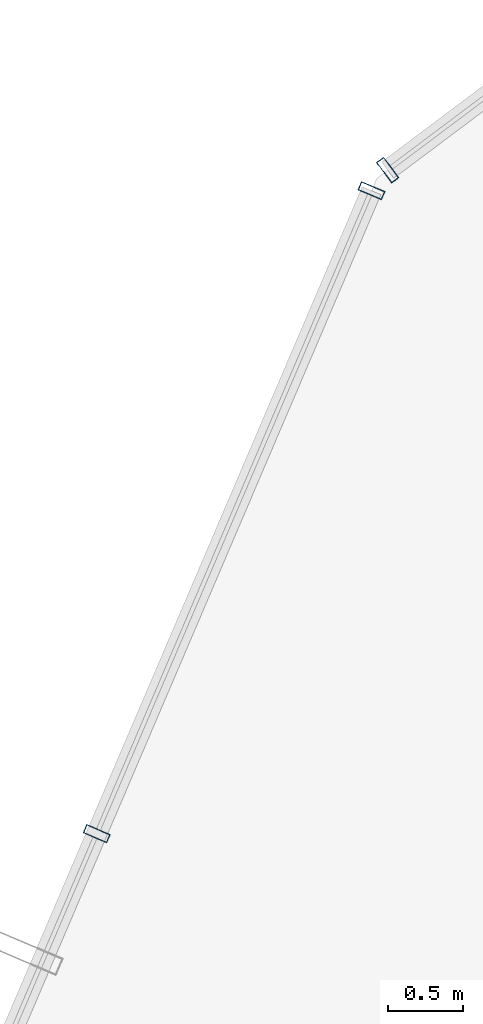
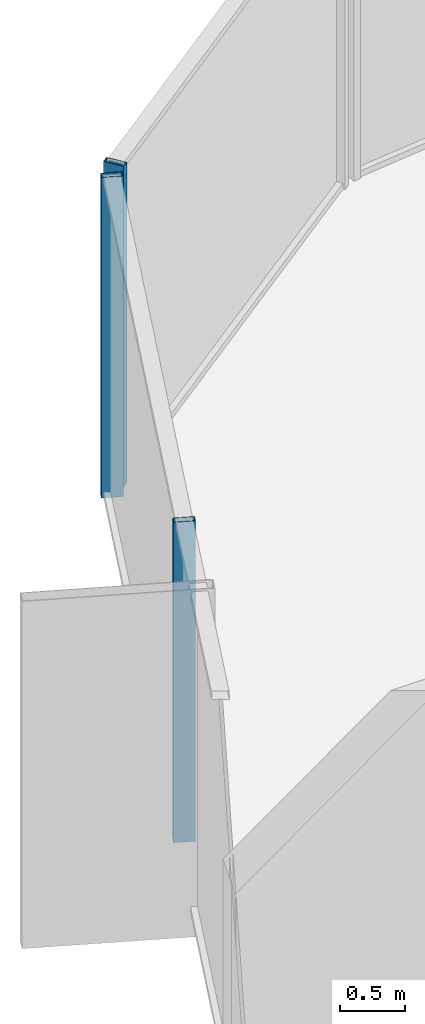
# One storey, part 21 of 37: 3 members, 2 elements without a shape of their own.
"""IFC4 building model written with IfcOpenShell, lengths in metres."""

from ifc_helpers import new_model, si_unit, direction, frame, origin, origin_2d, place, context, subcontext, project, spatial, hollow_rectangle, extrude, source, transform, mapped, material, layer, layer_set, material_profile, profile_set, type_object, element, aggregate, save


model = new_model("IFC4")

# Units and contexts
model_context = context("Model", 3, precision=1e-05, world=origin(), true_north=direction((0.0, 1.0)))
body_context = subcontext(model_context, "Body", "Model", "MODEL_VIEW")
ifc_project = project(units=[si_unit("LENGTHUNIT", "METRE"), si_unit("AREAUNIT", "SQUARE_METRE"), si_unit("VOLUMEUNIT", "CUBIC_METRE"), si_unit("PLANEANGLEUNIT", "RADIAN"), si_unit("MASSUNIT", "GRAM", prefix="KILO")], contexts=[model_context])

# Site, building, storey
site_placement = place(None, origin())
site = spatial("IfcSite", under=ifc_project, at=site_placement, CompositionType="ELEMENT")
building_placement = place(site_placement, origin())
building = spatial("IfcBuilding", under=site, at=building_placement, Name="Veraguas Prism Commons", CompositionType="ELEMENT")
storey_placement = place(building_placement, frame((0.0, 0.0, 46.800048828125)))
storey = spatial("IfcBuildingStorey", under=building, at=storey_placement, Name="L12", CompositionType="ELEMENT", Elevation=46.800048828125)

# Curtain wall, members
ifc_material = material(Name="Anodised aluminium EN AW-6063 T6", Category="aluminium")
ifc_layer = layer(ifc_material, 0.169921875, Name="Unitised Flush Curtain Wall Zone 1", Category="aluminium")
ifc_layer_set = layer_set([ifc_layer], Name="Anodised aluminium EN AW-6063 T6")
curtain_wall_type = type_object("IfcCurtainWallType", Name="Unitised Flush Curtain Wall Zone 1", PredefinedType="NOTDEFINED", material=ifc_layer_set)
curtain_wall_1_placement = place(storey_placement, origin())
curtain_wall_1 = element("IfcCurtainWall", 1, at=curtain_wall_1_placement, inside=storey, type_object=curtain_wall_type, Name="Tower Facade Curtain Wall L12-F3", PredefinedType="NOTDEFINED")
ifc_material_profile = material_profile(ifc_material, hollow_rectangle(XDim=0.06005859375, YDim=0.169921875, WallThickness=0.00390625, at=origin_2d()), Name="AL60X170X4")
ifc_profile_set = profile_set([ifc_material_profile], Name="Anodised aluminium EN AW-6063 T6")
member_type = type_object("IfcMemberType", Name="Curtain Wall Mullion Lower AL 60x170x4", PredefinedType="MULLION", material=ifc_profile_set)
shared_shape = source(origin(), body_context, "Body", "SweptSolid", [
    extrude(hollow_rectangle(XDim=0.06005859375, YDim=0.169921875, WallThickness=0.00390625, at=origin_2d()), origin(), (0.0, 0.0, 1.0), 3.0),
])
member_1_placement = place(storey_placement, frame((8.546875, 40.730712890625, 0.0), z_axis=(0.0, 0.0, 1.0), x_axis=(-0.392977572574, -0.919548056087, 0.0)))
member_1 = element("IfcMember", 2, at=member_1_placement, type_object=member_type, Name="CW-Z1 Mullion 1", PredefinedType="MULLION", context=body_context, shape_type="MappedRepresentation", body=[
    mapped(shared_shape, transform((0.0, 0.0, 0.0), scale=1.0)),
])
member_2_placement = place(storey_placement, frame((6.72314453125, 36.463134765625, 0.0), z_axis=(0.0, 0.0, 1.0), x_axis=(-0.392977572574, -0.919548056087, 0.0)))
member_2 = element("IfcMember", 3, at=member_2_placement, type_object=member_type, Name="CW-Z1 Mullion 2", PredefinedType="MULLION", context=body_context, shape_type="MappedRepresentation", body=[
    mapped(shared_shape, transform((0.0, 0.0, 0.0), scale=1.0)),
])
aggregate(curtain_wall_1, [member_1, member_2])

# Curtain wall, member
curtain_wall_2_placement = place(storey_placement, origin())
curtain_wall_2 = element("IfcCurtainWall", 4, at=curtain_wall_2_placement, inside=storey, type_object=curtain_wall_type, Name="Chamfer Curtain Wall L12-C3", PredefinedType="NOTDEFINED")
member_3_placement = place(storey_placement, frame((8.654296875, 40.867431640625, 0.0), z_axis=(0.0, 0.0, 1.0), x_axis=(-0.800106776826, -0.599857604501, 0.0)))
member_3 = element("IfcMember", 5, at=member_3_placement, type_object=member_type, Name="CW-Z1 Mullion 2", PredefinedType="MULLION", context=body_context, shape_type="MappedRepresentation", body=[
    mapped(shared_shape, transform((0.0, 0.0, 0.0), scale=1.0)),
])
aggregate(curtain_wall_2, [member_3])

save(model, "model.ifc")
